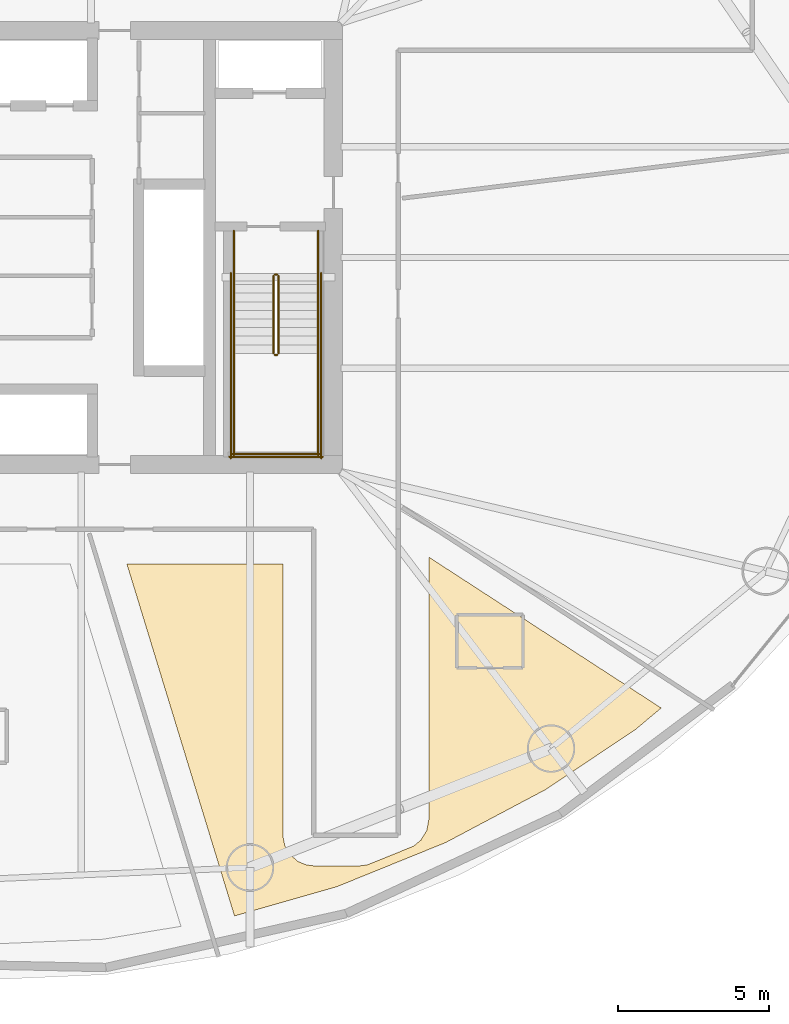
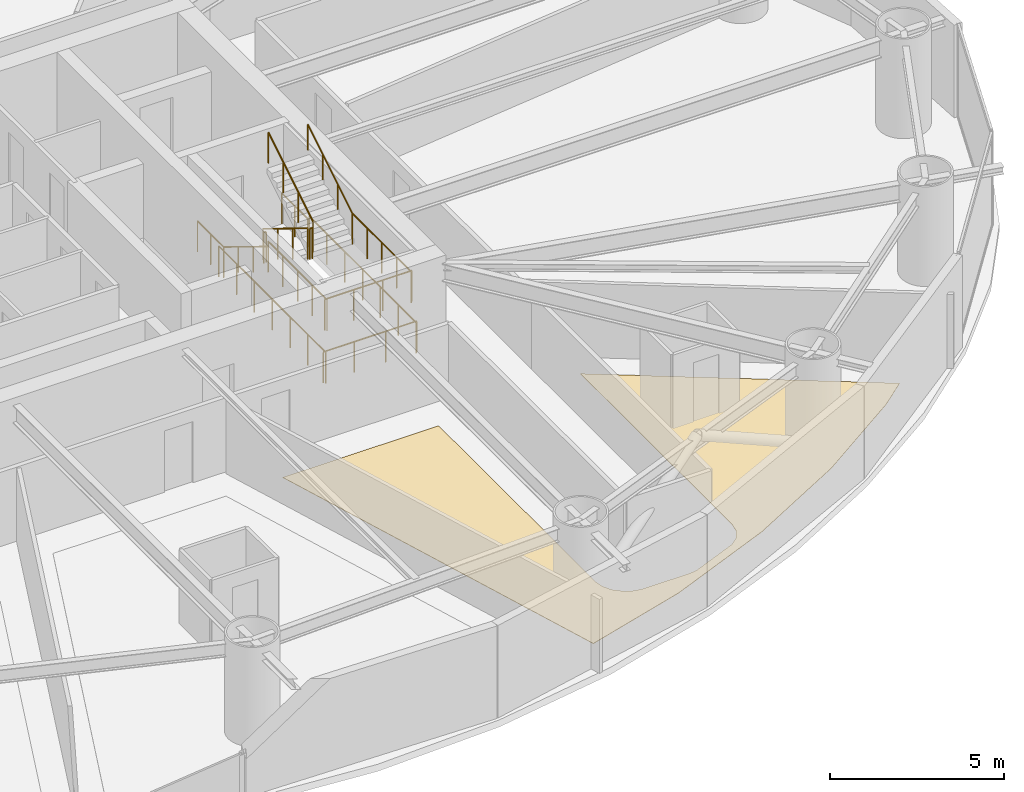
# One storey, part 22 of 23: 14 railings, 1 covering.
"""IFC4 building model written with IfcOpenShell, lengths in metres."""

from ifc_helpers import new_model, si_unit, direction, frame, origin, origin_2d, place, context, subcontext, project, spatial, polyline, circle, outline, extrude, material, layer, layer_set, type_object, element, save


model = new_model("IFC4")

# Units and contexts
model_context = context("Model", 3, precision=1e-05, world=origin(), true_north=direction((0.0, 1.0)))
body_context = subcontext(model_context, "Body", "Model", "MODEL_VIEW")
ifc_project = project(units=[si_unit("LENGTHUNIT", "METRE"), si_unit("AREAUNIT", "SQUARE_METRE"), si_unit("VOLUMEUNIT", "CUBIC_METRE"), si_unit("PLANEANGLEUNIT", "RADIAN"), si_unit("MASSUNIT", "GRAM", prefix="KILO")], contexts=[model_context])

# Site, building, storey
site_placement = place(None, origin())
site = spatial("IfcSite", under=ifc_project, at=site_placement, CompositionType="ELEMENT")
building_placement = place(site_placement, origin())
building = spatial("IfcBuilding", under=site, at=building_placement, Name="Bramvorn Convention Spire", CompositionType="ELEMENT")
storey_placement = place(building_placement, frame((0.0, 0.0, 69.39990234375)))
storey = spatial("IfcBuildingStorey", under=building, at=storey_placement, Name="L15", CompositionType="ELEMENT", Elevation=69.39990234375)

# Covering
ifc_material_1 = material(Name="Solution-Dyed Wool Broadloom Hospitality Carpet", Category="textile")
ifc_layer = layer(ifc_material_1, 0.014892578125)
ifc_layer_set = layer_set([ifc_layer], Name="Solution-Dyed Wool Broadloom Hospitality Carpet - FLR-CARPET-15")
covering_type = type_object("IfcCoveringType", Name="FLR-CARPET-15", PredefinedType="FLOORING", material=ifc_layer_set)
covering_placement = place(storey_placement, origin())
element("IfcCovering", 1, at=covering_placement, inside=storey, type_object=covering_type, Name="Hotel Suite 1508 wool broadloom carpet", PredefinedType="FLOORING", context=body_context, shape_type="SweptSolid", body=[
    extrude(outline(polyline([(49.123046875, 4.788818359375), (52.729736328125, 6.251220703125), (56.056884765625, 8.01513671875), (59.03662109375, 10.0087890625), (59.880859375, 10.71728515625), (52.169921875, 15.724853515625), (52.169921875, 7.013427734375), (52.107421875, 6.662109375), (51.906494140625, 6.329345703125), (51.66357421875, 6.132080078125), (50.1328125, 5.510986328125), (49.8837890625, 5.47998046875), (48.35009765625, 5.47998046875), (48.096435546875, 5.51220703125), (47.820556640625, 5.62841796875), (47.534423828125, 5.8876953125), (47.3916015625, 6.15087890625), (47.331787109375, 6.444091796875), (47.330078125, 15.5), (42.1513671875, 15.5), (45.72314453125, 3.817138671875), (49.123046875, 4.788818359375)])), origin(), (0.0, 0.0, 1.0), 0.01513671875),
])

# Railings
ifc_material_2 = material(Name="Painted Steel Balustrade & Guardrail", Category="steel")
railing_type_1 = type_object("IfcRailingType", Name="RL-STAIR-GUARD-1100", PredefinedType="GUARDRAIL", material=ifc_material_2)
railing_1_placement = place(storey_placement, frame((47.010009765625, 25.050048828125, 0.175048828125)))
element("IfcRailing", 2, at=railing_1_placement, inside=storey, type_object=railing_type_1, Name="L15 ST2 stair guard 1", PredefinedType="GUARDRAIL", context=body_context, shape_type="SweptSolid", body=[
    extrude(circle(Radius=0.02392578125, at=origin_2d()), frame((0.0, 0.0, 1.076171875), z_axis=(0.0, -0.852173129349, 0.523259933127), x_axis=(1.0, 0.0, 0.0)), (0.0, 0.0, 1.0), 3.009765625),
    extrude(circle(Radius=0.02099609375, at=origin_2d()), origin(), (0.0, 0.0, 1.0), 1.052001953125),
    extrude(circle(Radius=0.02099609375, at=origin_2d()), frame((0.0, -0.85498046875, 0.52490234375)), (0.0, 0.0, 1.0), 1.052001953125),
    extrude(circle(Radius=0.02099609375, at=origin_2d()), frame((0.0, -1.7099609375, 1.050048828125)), (0.0, 0.0, 1.0), 1.052001953125),
    extrude(circle(Radius=0.02099609375, at=origin_2d()), frame((0.0, -2.56494140625, 1.574951171875)), (0.0, 0.0, 1.0), 1.052001953125),
])
railing_2_placement = place(storey_placement, frame((47.06005859375, 22.43505859375, 1.75)))
element("IfcRailing", 3, at=railing_2_placement, inside=storey, type_object=railing_type_1, Name="L15 ST2 stair guard 2", PredefinedType="GUARDRAIL", context=body_context, shape_type="SweptSolid", body=[
    extrude(circle(Radius=0.02392578125, at=origin_2d()), frame((0.0, 0.0, 1.076171875), z_axis=(1.0, 0.0, 0.0), x_axis=(0.0, 1.0, 0.0)), (0.0, 0.0, 1.0), 0.079833984375),
    extrude(circle(Radius=0.02099609375, at=origin_2d()), origin(), (0.0, 0.0, 1.0), 1.052001953125),
    extrude(circle(Radius=0.02099609375, at=origin_2d()), frame((0.079833984375, 0.0, 0.0)), (0.0, 0.0, 1.0), 1.052001953125),
])
for number, where, name in (
    (4, (45.699951171875, 22.485107421875, 1.75), "L15 ST2 stair guard 3"),
    (5, (48.5, 22.485107421875, 1.75), "L15 ST2 stair guard 4"),
):
    element("IfcRailing", number, at=place(storey_placement, frame(where)), inside=storey, type_object=railing_type_1, Name=name, PredefinedType="GUARDRAIL", context=body_context, shape_type="SweptSolid", body=[
        extrude(circle(Radius=0.02392578125, at=origin_2d()), frame((0.0, 0.0, 1.076171875), z_axis=(0.0, -1.0, 0.0), x_axis=(1.0, 0.0, 0.0)), (0.0, 0.0, 1.0), 3.385009765625),
        extrude(circle(Radius=0.02099609375, at=origin_2d()), origin(), (0.0, 0.0, 1.0), 1.052001953125),
        extrude(circle(Radius=0.02099609375, at=origin_2d()), frame((0.0, -0.84619140625, 0.0)), (0.0, 0.0, 1.0), 1.052001953125),
        extrude(circle(Radius=0.02099609375, at=origin_2d()), frame((0.0, -1.6923828125, 0.0)), (0.0, 0.0, 1.0), 1.052001953125),
        extrude(circle(Radius=0.02099609375, at=origin_2d()), frame((0.0, -2.538818359375, 0.0)), (0.0, 0.0, 1.0), 1.052001953125),
        extrude(circle(Radius=0.02099609375, at=origin_2d()), frame((0.0, -3.385009765625, 0.0)), (0.0, 0.0, 1.0), 1.052001953125),
    ])
railing_3_placement = place(storey_placement, frame((45.64990234375, 19.14990234375, 1.75)))
element("IfcRailing", 6, at=railing_3_placement, inside=storey, type_object=railing_type_1, Name="L15 ST2 stair guard 5", PredefinedType="GUARDRAIL", context=body_context, shape_type="SweptSolid", body=[
    extrude(circle(Radius=0.02392578125, at=origin_2d()), frame((0.0, 0.0, 1.076171875), z_axis=(1.0, 0.0, 0.0), x_axis=(0.0, 1.0, 0.0)), (0.0, 0.0, 1.0), 2.900146484375),
    extrude(circle(Radius=0.02099609375, at=origin_2d()), origin(), (0.0, 0.0, 1.0), 1.052001953125),
    extrude(circle(Radius=0.02099609375, at=origin_2d()), frame((0.966796875, 0.0, 0.0)), (0.0, 0.0, 1.0), 1.052001953125),
    extrude(circle(Radius=0.02099609375, at=origin_2d()), frame((1.933349609375, 0.0, 0.0)), (0.0, 0.0, 1.0), 1.052001953125),
    extrude(circle(Radius=0.02099609375, at=origin_2d()), frame((2.900146484375, 0.0, 0.0)), (0.0, 0.0, 1.0), 1.052001953125),
])
railing_4_placement = place(storey_placement, frame((47.18994140625, 22.485107421875, 1.925048828125)))
element("IfcRailing", 7, at=railing_4_placement, inside=storey, type_object=railing_type_1, Name="L15 ST2 stair guard 6", PredefinedType="GUARDRAIL", context=body_context, shape_type="SweptSolid", body=[
    extrude(circle(Radius=0.02392578125, at=origin_2d()), frame((0.0, 0.0, 1.076171875), z_axis=(0.0, 0.852173129349, 0.523259933127), x_axis=(-1.0, 0.0, 0.0)), (0.0, 0.0, 1.0), 3.009765625),
    extrude(circle(Radius=0.02099609375, at=origin_2d()), origin(), (0.0, 0.0, 1.0), 1.052001953125),
    extrude(circle(Radius=0.02099609375, at=origin_2d()), frame((0.0, 0.85498046875, 0.52490234375)), (0.0, 0.0, 1.0), 1.052001953125),
    extrude(circle(Radius=0.02099609375, at=origin_2d()), frame((0.0, 1.7099609375, 1.050048828125)), (0.0, 0.0, 1.0), 1.052001953125),
    extrude(circle(Radius=0.02099609375, at=origin_2d()), frame((0.0, 2.56494140625, 1.574951171875)), (0.0, 0.0, 1.0), 1.052001953125),
])
railing_5_placement = place(storey_placement, frame((47.06005859375, 25.10009765625, 0.0)))
element("IfcRailing", 8, at=railing_5_placement, inside=storey, type_object=railing_type_1, Name="L15 ST2 stair guard 7", PredefinedType="GUARDRAIL", context=body_context, shape_type="SweptSolid", body=[
    extrude(circle(Radius=0.02392578125, at=origin_2d()), frame((0.0, 0.0, 1.076171875), z_axis=(1.0, 0.0, 0.0), x_axis=(0.0, 1.0, 0.0)), (0.0, 0.0, 1.0), 0.079833984375),
    extrude(circle(Radius=0.02099609375, at=origin_2d()), origin(), (0.0, 0.0, 1.0), 1.052001953125),
    extrude(circle(Radius=0.02099609375, at=origin_2d()), frame((0.079833984375, 0.0, 0.0)), (0.0, 0.0, 1.0), 1.052001953125),
])
for number, where, name in (
    (9, (45.699951171875, 26.550048828125, 0.0), "L15 ST2 stair guard 8"),
    (10, (48.5, 26.550048828125, 0.0), "L15 ST2 stair guard 9"),
):
    element("IfcRailing", number, at=place(storey_placement, frame(where)), inside=storey, type_object=railing_type_1, Name=name, PredefinedType="GUARDRAIL", context=body_context, shape_type="SweptSolid", body=[
        extrude(circle(Radius=0.02392578125, at=origin_2d()), frame((0.0, 0.0, 1.076171875), z_axis=(0.0, -1.0, 0.0), x_axis=(1.0, 0.0, 0.0)), (0.0, 0.0, 1.0), 1.5),
        extrude(circle(Radius=0.02099609375, at=origin_2d()), origin(), (0.0, 0.0, 1.0), 1.052001953125),
        extrude(circle(Radius=0.02099609375, at=origin_2d()), frame((0.0, -0.75, 0.0)), (0.0, 0.0, 1.0), 1.052001953125),
        extrude(circle(Radius=0.02099609375, at=origin_2d()), frame((0.0, -1.5, 0.0)), (0.0, 0.0, 1.0), 1.052001953125),
    ])
for number, where, name in (
    (11, (45.60009765625, 25.14990234375, 0.0), "L15 ST2 stair guard 10"),
    (12, (48.60009765625, 25.14990234375, 0.0), "L15 ST2 stair guard 11"),
):
    element("IfcRailing", number, at=place(storey_placement, frame(where)), inside=storey, type_object=railing_type_1, Name=name, PredefinedType="GUARDRAIL", context=body_context, shape_type="SweptSolid", body=[
        extrude(circle(Radius=0.02392578125, at=origin_2d()), frame((0.0, 0.0, 1.076171875), z_axis=(0.0, -1.0, 0.0), x_axis=(1.0, 0.0, 0.0)), (0.0, 0.0, 1.0), 6.14990234375),
        extrude(circle(Radius=0.02099609375, at=origin_2d()), origin(), (0.0, 0.0, 1.0), 1.052001953125),
        extrude(circle(Radius=0.02099609375, at=origin_2d()), frame((0.0, -1.02490234375, 0.0)), (0.0, 0.0, 1.0), 1.052001953125),
        extrude(circle(Radius=0.02099609375, at=origin_2d()), frame((0.0, -2.050048828125, 0.0)), (0.0, 0.0, 1.0), 1.052001953125),
        extrude(circle(Radius=0.02099609375, at=origin_2d()), frame((0.0, -3.074951171875, 0.0)), (0.0, 0.0, 1.0), 1.052001953125),
        extrude(circle(Radius=0.02099609375, at=origin_2d()), frame((0.0, -4.099853515625, 0.0)), (0.0, 0.0, 1.0), 1.052001953125),
        extrude(circle(Radius=0.02099609375, at=origin_2d()), frame((0.0, -5.125, 0.0)), (0.0, 0.0, 1.0), 1.052001953125),
        extrude(circle(Radius=0.02099609375, at=origin_2d()), frame((0.0, -6.14990234375, 0.0)), (0.0, 0.0, 1.0), 1.052001953125),
    ])
railing_6_placement = place(storey_placement, frame((45.550048828125, 19.050048828125, 0.0)))
element("IfcRailing", 13, at=railing_6_placement, inside=storey, type_object=railing_type_1, Name="L15 ST2 stair guard 12", PredefinedType="GUARDRAIL", context=body_context, shape_type="SweptSolid", body=[
    extrude(circle(Radius=0.02392578125, at=origin_2d()), frame((0.0, 0.0, 1.076171875), z_axis=(1.0, 0.0, 0.0), x_axis=(0.0, 1.0, 0.0)), (0.0, 0.0, 1.0), 3.099853515625),
    extrude(circle(Radius=0.02099609375, at=origin_2d()), origin(), (0.0, 0.0, 1.0), 1.052001953125),
    extrude(circle(Radius=0.02099609375, at=origin_2d()), frame((1.033203125, 0.0, 0.0)), (0.0, 0.0, 1.0), 1.052001953125),
    extrude(circle(Radius=0.02099609375, at=origin_2d()), frame((2.066650390625, 0.0, 0.0)), (0.0, 0.0, 1.0), 1.052001953125),
    extrude(circle(Radius=0.02099609375, at=origin_2d()), frame((3.099853515625, 0.0, 0.0)), (0.0, 0.0, 1.0), 1.052001953125),
])
ifc_material_3 = material(Name="Brushed Bronze Tubular Handrail", Category="aluminium")
railing_type_2 = type_object("IfcRailingType", Name="RL-STAIR-HR-920", PredefinedType="HANDRAIL", material=ifc_material_3)
railing_7_placement = place(storey_placement, frame((45.699951171875, 25.050048828125, 0.175048828125)))
element("IfcRailing", 14, at=railing_7_placement, inside=storey, type_object=railing_type_2, Name="L15 ST2 stair handrail 1", PredefinedType="HANDRAIL", context=body_context, shape_type="SweptSolid", body=[
    extrude(circle(Radius=0.02392578125, at=origin_2d()), frame((0.0, 0.0, 0.89599609375), z_axis=(0.0, -0.852173129349, 0.523259933127), x_axis=(1.0, 0.0, 0.0)), (0.0, 0.0, 1.0), 3.009765625),
    extrude(circle(Radius=0.02099609375, at=origin_2d()), origin(), (0.0, 0.0, 1.0), 0.871826171875),
    extrude(circle(Radius=0.02099609375, at=origin_2d()), frame((0.0, -0.85498046875, 0.52490234375)), (0.0, 0.0, 1.0), 0.871826171875),
    extrude(circle(Radius=0.02099609375, at=origin_2d()), frame((0.0, -1.7099609375, 1.050048828125)), (0.0, 0.0, 1.0), 0.871826171875),
    extrude(circle(Radius=0.02099609375, at=origin_2d()), frame((0.0, -2.56494140625, 1.574951171875)), (0.0, 0.0, 1.0), 0.871826171875),
])
railing_8_placement = place(storey_placement, frame((48.5, 22.485107421875, 1.925048828125)))
element("IfcRailing", 15, at=railing_8_placement, inside=storey, type_object=railing_type_2, Name="L15 ST2 stair handrail 2", PredefinedType="HANDRAIL", context=body_context, shape_type="SweptSolid", body=[
    extrude(circle(Radius=0.02392578125, at=origin_2d()), frame((0.0, 0.0, 0.89599609375), z_axis=(0.0, 0.852173129349, 0.523259933127), x_axis=(-1.0, 0.0, 0.0)), (0.0, 0.0, 1.0), 3.009765625),
    extrude(circle(Radius=0.02099609375, at=origin_2d()), origin(), (0.0, 0.0, 1.0), 0.871826171875),
    extrude(circle(Radius=0.02099609375, at=origin_2d()), frame((0.0, 0.85498046875, 0.52490234375)), (0.0, 0.0, 1.0), 0.871826171875),
    extrude(circle(Radius=0.02099609375, at=origin_2d()), frame((0.0, 1.7099609375, 1.050048828125)), (0.0, 0.0, 1.0), 0.871826171875),
    extrude(circle(Radius=0.02099609375, at=origin_2d()), frame((0.0, 2.56494140625, 1.574951171875)), (0.0, 0.0, 1.0), 0.871826171875),
])

save(model, "model.ifc")
